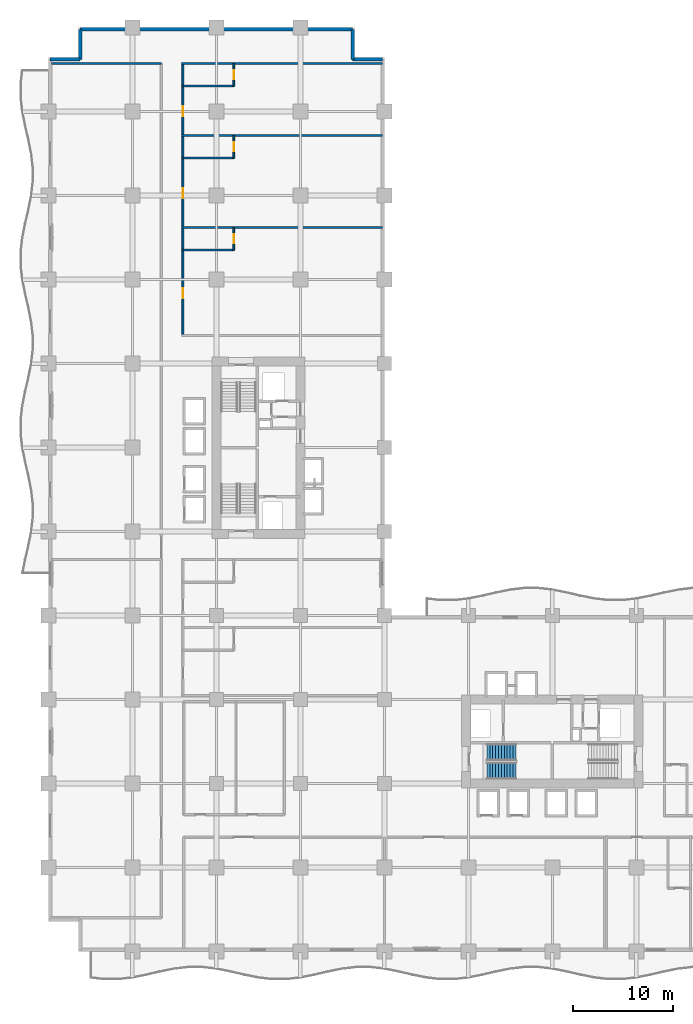
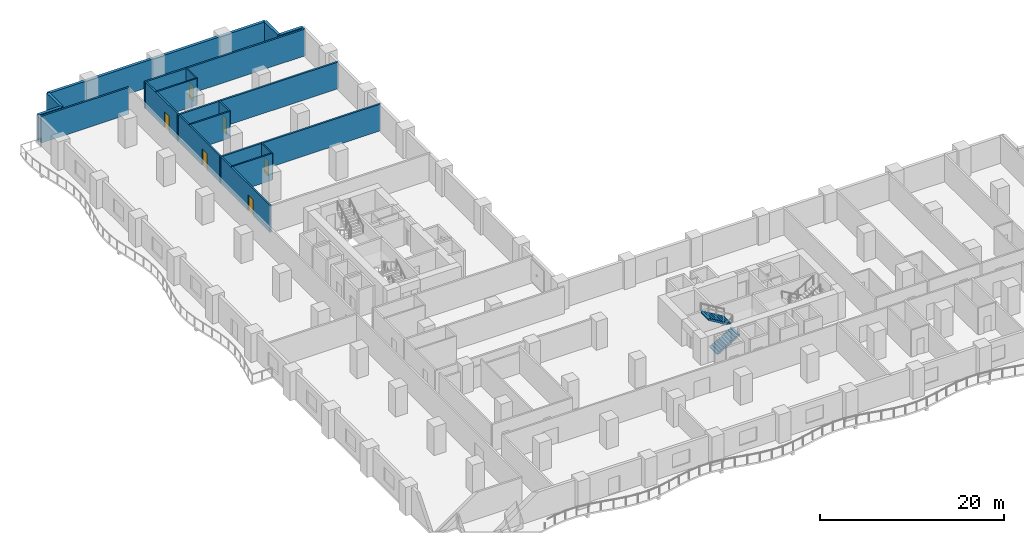
# One storey, part 11 of 18: 16 walls, 6 doors, 2 stair flights, 6 openings, 1 element without a shape of its own.
"""IFC4 building model written with IfcOpenShell, lengths in metres."""

from ifc_helpers import new_model, si_unit, direction, frame, frame_2d, origin, place, context, subcontext, project, spatial, polyline, rectangle, outline, extrude, material, layer, layer_set, type_object, element, fill, aggregate, save


model = new_model("IFC4")

# Units and contexts
model_context = context("Model", 3, precision=1e-05, world=origin(), true_north=direction((0.0, 1.0)))
body_context = subcontext(model_context, "Body", "Model", "MODEL_VIEW")
ifc_project = project(units=[si_unit("LENGTHUNIT", "METRE"), si_unit("AREAUNIT", "SQUARE_METRE"), si_unit("VOLUMEUNIT", "CUBIC_METRE"), si_unit("PLANEANGLEUNIT", "RADIAN"), si_unit("MASSUNIT", "GRAM", prefix="KILO")], contexts=[model_context])

# Site, building, storey
site_placement = place(None, origin())
site = spatial("IfcSite", under=ifc_project, at=site_placement, CompositionType="ELEMENT")
building_placement = place(site_placement, origin())
building = spatial("IfcBuilding", under=site, at=building_placement, Name="Koriwani Terraces Tower", CompositionType="ELEMENT")
storey_placement = place(building_placement, frame((0.0, 0.0, 81.39990234375)))
storey = spatial("IfcBuildingStorey", under=building, at=storey_placement, Name="L19", CompositionType="ELEMENT", Elevation=81.39990234375)

# Wall, openings, doors
ifc_material_1 = material(Name="Autoclaved Cellular Concrete Blockwork", Category="masonry")
ifc_layer_1 = layer(ifc_material_1, 0.199951171875, Name="Autoclaved Cellular Concrete Blockwork")
ifc_layer_set_1 = layer_set([ifc_layer_1], Name="Autoclaved Cellular Concrete Blockwork")
wall_type_1 = type_object("IfcWallType", Name="WALL_CORRIDOR_200", PredefinedType="PARTITIONING", material=ifc_layer_set_1)
wall_1_placement = place(storey_placement, frame((13.449951171875, 61.60009765625, 0.0), z_axis=(0.0, 0.0, 1.0), x_axis=(0.0, 1.0, 0.0)))
wall_1 = element("IfcWall", 1, at=wall_1_placement, inside=storey, type_object=wall_type_1, Name="L19 Interior Wall WCOR-L19-NE-0", PredefinedType="PARTITIONING", context=body_context, shape_type="SweptSolid", body=[
    extrude(rectangle(XDim=27.199951171875, YDim=0.199951171875, at=frame_2d((13.60009765625, 0.0))), origin(), (0.0, 0.0, 1.0), 3.550048828125),
])
opening_1_placement = place(wall_1_placement, frame((3.735107421875, 0.0, 0.0)))
opening_1 = element("IfcOpeningElement", 2, at=opening_1_placement, cuts=wall_1, Name="Opening D-05", PredefinedType="OPENING", context=body_context, shape_type="SweptSolid", body=[
    extrude(rectangle(XDim=1.0, YDim=2.14990234375, at=frame_2d((0.5, 1.074951171875))), frame((0.0, 0.10986328125, 0.0), z_axis=(0.0, -1.0, 0.0), x_axis=(1.0, 0.0, 0.0)), (0.0, 0.0, 1.0), 0.219970703125),
])
opening_2_placement = place(wall_1_placement, frame((13.735107421875, 0.0, 0.0)))
opening_2 = element("IfcOpeningElement", 3, at=opening_2_placement, cuts=wall_1, Name="Opening D-05", PredefinedType="OPENING", context=body_context, shape_type="SweptSolid", body=[
    extrude(rectangle(XDim=1.0, YDim=2.14990234375, at=frame_2d((0.5, 1.074951171875))), frame((0.0, 0.10986328125, 0.0), z_axis=(0.0, -1.0, 0.0), x_axis=(1.0, 0.0, 0.0)), (0.0, 0.0, 1.0), 0.219970703125),
])
opening_3_placement = place(wall_1_placement, frame((21.93505859375, 0.0, 0.0)))
opening_3 = element("IfcOpeningElement", 4, at=opening_3_placement, cuts=wall_1, Name="Opening D-05", PredefinedType="OPENING", context=body_context, shape_type="SweptSolid", body=[
    extrude(rectangle(XDim=1.0, YDim=2.14990234375, at=frame_2d((0.5, 1.074951171875))), frame((0.0, 0.10986328125, 0.0), z_axis=(0.0, -1.0, 0.0), x_axis=(1.0, 0.0, 0.0)), (0.0, 0.0, 1.0), 0.219970703125),
])
ifc_material_2 = material(Name="Architectural Oak Fire Door", Category="wood")
door_type_1 = type_object("IfcDoorType", Name="DOOR_SUITE_ENTRY_1000X2150", OperationType="NOTDEFINED", PredefinedType="DOOR", material=ifc_material_2)
door_1_placement = place(opening_1_placement, origin())
door_1 = element("IfcDoor", 5, at=door_1_placement, inside=storey, type_object=door_type_1, Name="Luxury Hotel Suite 19NE1 Entrance Door", OperationType="SINGLE_SWING_LEFT", OverallHeight=2.14990234375, OverallWidth=1.0, PredefinedType="DOOR", context=body_context, shape_type="SweptSolid", body=[
    extrude(rectangle(XDim=1.0, YDim=2.14990234375, at=frame_2d((0.5, 1.074951171875))), frame((0.0, 0.02490234375, 0.0), z_axis=(0.0, -1.0, 0.0), x_axis=(1.0, 0.0, 0.0)), (0.0, 0.0, 1.0), 0.050048828125),
])
fill(opening_1, door_1)
door_2_placement = place(opening_2_placement, origin())
door_2 = element("IfcDoor", 6, at=door_2_placement, inside=storey, type_object=door_type_1, Name="Luxury Hotel Suite 19NE2 Entrance Door", OperationType="SINGLE_SWING_LEFT", OverallHeight=2.14990234375, OverallWidth=1.0, PredefinedType="DOOR", context=body_context, shape_type="SweptSolid", body=[
    extrude(rectangle(XDim=1.0, YDim=2.14990234375, at=frame_2d((0.5, 1.074951171875))), frame((0.0, 0.02490234375, 0.0), z_axis=(0.0, -1.0, 0.0), x_axis=(1.0, 0.0, 0.0)), (0.0, 0.0, 1.0), 0.050048828125),
])
fill(opening_2, door_2)
door_3_placement = place(opening_3_placement, origin())
door_3 = element("IfcDoor", 7, at=door_3_placement, inside=storey, type_object=door_type_1, Name="Luxury Hotel Suite 19NE3 Entrance Door", OperationType="SINGLE_SWING_LEFT", OverallHeight=2.14990234375, OverallWidth=1.0, PredefinedType="DOOR", context=body_context, shape_type="SweptSolid", body=[
    extrude(rectangle(XDim=1.0, YDim=2.14990234375, at=frame_2d((0.5, 1.074951171875))), frame((0.0, 0.02490234375, 0.0), z_axis=(0.0, -1.0, 0.0), x_axis=(1.0, 0.0, 0.0)), (0.0, 0.0, 1.0), 0.050048828125),
])
fill(opening_3, door_3)

# Walls
ifc_layer_2 = layer(ifc_material_1, 0.219970703125, Name="Autoclaved Cellular Concrete Blockwork")
ifc_layer_set_2 = layer_set([ifc_layer_2], Name="Autoclaved Cellular Concrete Blockwork")
wall_type_2 = type_object("IfcWallType", Name="WALL_DEMISING_220", PredefinedType="PARTITIONING", material=ifc_layer_set_2)
wall_2_placement = place(storey_placement, frame((0.300048828125, 88.800048828125, 0.0), z_axis=(0.0, 0.0, 1.0), x_axis=(1.0, 0.0, 0.0)))
element("IfcWall", 8, at=wall_2_placement, inside=storey, type_object=wall_type_2, Name="L19 Interior Wall WZ1NWCLN-L19", PredefinedType="PARTITIONING", context=body_context, shape_type="SweptSolid", body=[
    extrude(rectangle(XDim=11.0, YDim=0.219970703125, at=frame_2d((5.5, 0.0))), origin(), (0.0, 0.0, 1.0), 3.550048828125),
])
for number, where, z_axis, x_axis, name in (
    (9, (13.300048828125, 72.39990234375, 0.0), (0.0, 0.0, 1.0), (1.0, 0.0, 0.0), "L19 Interior Wall WDEM-L19-NE-1"),
    (10, (13.300048828125, 81.60009765625, 0.0), (0.0, 0.0, 1.0), (1.0, 0.0, 0.0), "L19 Interior Wall WDEM-L19-NE-2"),
    (11, (13.300048828125, 88.800048828125, 0.0), (0.0, 0.0, 1.0), (1.0, 0.0, 0.0), "L19 Interior Wall WDEME-L19-NE"),
):
    element("IfcWall", number, at=place(storey_placement, frame(where, z_axis=z_axis, x_axis=x_axis)), inside=storey, type_object=wall_type_2, Name=name, PredefinedType="PARTITIONING", context=body_context, shape_type="SweptSolid", body=[
        extrude(rectangle(XDim=20.1298828125, YDim=0.219970703125, at=frame_2d((10.06494140625, 0.0))), origin(), (0.0, 0.0, 1.0), 3.550048828125),
    ])
ifc_material_3 = material(Name="Concrete C50/60", Category="concrete")
ifc_layer_3 = layer(ifc_material_3, 0.35009765625, Name="Concrete C50/60")
ifc_layer_set_3 = layer_set([ifc_layer_3], Name="Concrete C50/60")
wall_type_3 = type_object("IfcWallType", Name="WALL_EXT_BRUTALIST_350", PredefinedType="STANDARD", material=ifc_layer_set_3)
for number, where, z_axis, x_axis, name in (
    (12, (0.175048828125, 89.22509765625, 0.0), (0.0, 0.0, 1.0), (1.0, 0.0, 0.0), "L19 Fair-Faced Brutalist Exterior Wall (N3)"),
    (13, (3.175048828125, 89.22509765625, 0.0), (0.0, 0.0, 1.0), (0.0, 1.0, 0.0), "L19 Fair-Faced Brutalist Exterior Wall (N4)"),
):
    element("IfcWall", number, at=place(storey_placement, frame(where, z_axis=z_axis, x_axis=x_axis)), inside=storey, type_object=wall_type_3, Name=name, PredefinedType="STANDARD", context=body_context, shape_type="SweptSolid", body=[
        extrude(rectangle(XDim=3.0, YDim=0.35009765625, at=frame_2d((1.5, 0.0))), origin(), (0.0, 0.0, 1.0), 3.550048828125),
    ])
wall_3_placement = place(storey_placement, frame((3.175048828125, 92.22509765625, 0.0), z_axis=(0.0, 0.0, 1.0), x_axis=(1.0, 0.0, 0.0)))
element("IfcWall", 14, at=wall_3_placement, inside=storey, type_object=wall_type_3, Name="L19 Fair-Faced Brutalist Exterior Wall (N_TIP)", PredefinedType="STANDARD", context=body_context, shape_type="SweptSolid", body=[
    extrude(rectangle(XDim=27.25, YDim=0.35009765625, at=frame_2d((13.625, 0.0))), origin(), (0.0, 0.0, 1.0), 3.550048828125),
])
for number, where, z_axis, x_axis, name in (
    (15, (30.425048828125, 92.22509765625, 0.0), (0.0, 0.0, 1.0), (0.0, -1.0, 0.0), "L19 Fair-Faced Brutalist Exterior Wall (N6)"),
    (16, (30.425048828125, 89.22509765625, 0.0), (0.0, 0.0, 1.0), (1.0, 0.0, 0.0), "L19 Fair-Faced Brutalist Exterior Wall (N7)"),
):
    element("IfcWall", number, at=place(storey_placement, frame(where, z_axis=z_axis, x_axis=x_axis)), inside=storey, type_object=wall_type_3, Name=name, PredefinedType="STANDARD", context=body_context, shape_type="SweptSolid", body=[
        extrude(rectangle(XDim=3.0, YDim=0.35009765625, at=frame_2d((1.5, 0.0))), origin(), (0.0, 0.0, 1.0), 3.550048828125),
    ])

# Wall, opening, door
ifc_material_4 = material(Name="Fire-Rated Acoustic Gypsum Partition", Category="masonry")
ifc_layer_4 = layer(ifc_material_4, 0.179931640625, Name="Fire-Rated Acoustic Gypsum Partition")
ifc_layer_set_4 = layer_set([ifc_layer_4], Name="Fire-Rated Acoustic Gypsum Partition")
wall_type_4 = type_object("IfcWallType", Name="WALL_PLUMBING_180", PredefinedType="PLUMBINGWALL", material=ifc_layer_set_4)
wall_4_placement = place(storey_placement, frame((18.550048828125, 70.14990234375, 0.0), z_axis=(0.0, 0.0, 1.0), x_axis=(0.0, 1.0, 0.0)))
wall_4 = element("IfcWall", 17, at=wall_4_placement, inside=storey, type_object=wall_type_4, Name="L19 Interior Wall WBTH1-L19-NE-0", PredefinedType="PLUMBINGWALL", context=body_context, shape_type="SweptSolid", body=[
    extrude(rectangle(XDim=2.25, YDim=0.179931640625, at=frame_2d((1.125, 0.0))), origin(), (0.0, 0.0, 1.0), 3.550048828125),
])
opening_4_placement = place(wall_4_placement, frame((0.675048828125, 0.0, 0.0)))
opening_4 = element("IfcOpeningElement", 18, at=opening_4_placement, cuts=wall_4, Name="Opening D-07", PredefinedType="OPENING", context=body_context, shape_type="SweptSolid", body=[
    extrude(rectangle(XDim=0.89990234375, YDim=2.10009765625, at=frame_2d((0.449951171875, 1.050048828125))), frame((0.0, 0.10009765625, 0.0), z_axis=(0.0, -1.0, 0.0), x_axis=(1.0, 0.0, 0.0)), (0.0, 0.0, 1.0), 0.199951171875),
])
door_type_2 = type_object("IfcDoorType", Name="DOOR_BATH_INT_900X2100", OperationType="NOTDEFINED", PredefinedType="DOOR", material=ifc_material_2)
door_4_placement = place(opening_4_placement, origin())
door_4 = element("IfcDoor", 19, at=door_4_placement, inside=storey, type_object=door_type_2, Name="En-Suite Bathroom 19NE1 Door", OperationType="SINGLE_SWING_RIGHT", OverallHeight=2.10009765625, OverallWidth=0.89990234375, PredefinedType="DOOR", context=body_context, shape_type="SweptSolid", body=[
    extrude(rectangle(XDim=0.89990234375, YDim=2.10009765625, at=frame_2d((0.449951171875, 1.050048828125))), frame((0.0, 0.02490234375, 0.0), z_axis=(0.0, -1.0, 0.0), x_axis=(1.0, 0.0, 0.0)), (0.0, 0.0, 1.0), 0.050048828125),
])
fill(opening_4, door_4)

# Wall
wall_5_placement = place(storey_placement, frame((13.449951171875, 70.14990234375, 0.0), z_axis=(0.0, 0.0, 1.0), x_axis=(1.0, 0.0, 0.0)))
element("IfcWall", 20, at=wall_5_placement, inside=storey, type_object=wall_type_4, Name="L19 Interior Wall WBTH2-L19-NE-0", PredefinedType="PLUMBINGWALL", context=body_context, shape_type="SweptSolid", body=[
    extrude(rectangle(XDim=5.10009765625, YDim=0.179931640625, at=frame_2d((2.550048828125, 0.0))), origin(), (0.0, 0.0, 1.0), 3.550048828125),
])

# Wall, opening, door
wall_6_placement = place(storey_placement, frame((18.550048828125, 79.35009765625, 0.0), z_axis=(0.0, 0.0, 1.0), x_axis=(0.0, 1.0, 0.0)))
wall_6 = element("IfcWall", 21, at=wall_6_placement, inside=storey, type_object=wall_type_4, Name="L19 Interior Wall WBTH1-L19-NE-1", PredefinedType="PLUMBINGWALL", context=body_context, shape_type="SweptSolid", body=[
    extrude(rectangle(XDim=2.25, YDim=0.179931640625, at=frame_2d((1.125, 0.0))), origin(), (0.0, 0.0, 1.0), 3.550048828125),
])
opening_5_placement = place(wall_6_placement, frame((0.675048828125, 0.0, 0.0)))
opening_5 = element("IfcOpeningElement", 22, at=opening_5_placement, cuts=wall_6, Name="Opening D-07", PredefinedType="OPENING", context=body_context, shape_type="SweptSolid", body=[
    extrude(rectangle(XDim=0.89990234375, YDim=2.10009765625, at=frame_2d((0.449951171875, 1.050048828125))), frame((0.0, 0.10009765625, 0.0), z_axis=(0.0, -1.0, 0.0), x_axis=(1.0, 0.0, 0.0)), (0.0, 0.0, 1.0), 0.199951171875),
])
door_5_placement = place(opening_5_placement, origin())
door_5 = element("IfcDoor", 23, at=door_5_placement, inside=storey, type_object=door_type_2, Name="En-Suite Bathroom 19NE2 Door", OperationType="SINGLE_SWING_RIGHT", OverallHeight=2.10009765625, OverallWidth=0.89990234375, PredefinedType="DOOR", context=body_context, shape_type="SweptSolid", body=[
    extrude(rectangle(XDim=0.89990234375, YDim=2.10009765625, at=frame_2d((0.449951171875, 1.050048828125))), frame((0.0, 0.02490234375, 0.0), z_axis=(0.0, -1.0, 0.0), x_axis=(1.0, 0.0, 0.0)), (0.0, 0.0, 1.0), 0.050048828125),
])
fill(opening_5, door_5)

# Wall
wall_7_placement = place(storey_placement, frame((13.449951171875, 79.35009765625, 0.0), z_axis=(0.0, 0.0, 1.0), x_axis=(1.0, 0.0, 0.0)))
element("IfcWall", 24, at=wall_7_placement, inside=storey, type_object=wall_type_4, Name="L19 Interior Wall WBTH2-L19-NE-1", PredefinedType="PLUMBINGWALL", context=body_context, shape_type="SweptSolid", body=[
    extrude(rectangle(XDim=5.10009765625, YDim=0.179931640625, at=frame_2d((2.550048828125, 0.0))), origin(), (0.0, 0.0, 1.0), 3.550048828125),
])

# Wall, opening, door
wall_8_placement = place(storey_placement, frame((18.550048828125, 86.550048828125, 0.0), z_axis=(0.0, 0.0, 1.0), x_axis=(0.0, 1.0, 0.0)))
wall_8 = element("IfcWall", 25, at=wall_8_placement, inside=storey, type_object=wall_type_4, Name="L19 Interior Wall WBTH1-L19-NE-2", PredefinedType="PLUMBINGWALL", context=body_context, shape_type="SweptSolid", body=[
    extrude(rectangle(XDim=2.25, YDim=0.179931640625, at=frame_2d((1.125, 0.0))), origin(), (0.0, 0.0, 1.0), 3.550048828125),
])
opening_6_placement = place(wall_8_placement, frame((0.675048828125, 0.0, 0.0)))
opening_6 = element("IfcOpeningElement", 26, at=opening_6_placement, cuts=wall_8, Name="Opening D-07", PredefinedType="OPENING", context=body_context, shape_type="SweptSolid", body=[
    extrude(rectangle(XDim=0.89990234375, YDim=2.10009765625, at=frame_2d((0.449951171875, 1.050048828125))), frame((0.0, 0.10009765625, 0.0), z_axis=(0.0, -1.0, 0.0), x_axis=(1.0, 0.0, 0.0)), (0.0, 0.0, 1.0), 0.199951171875),
])
door_6_placement = place(opening_6_placement, origin())
door_6 = element("IfcDoor", 27, at=door_6_placement, inside=storey, type_object=door_type_2, Name="En-Suite Bathroom 19NE3 Door", OperationType="SINGLE_SWING_RIGHT", OverallHeight=2.10009765625, OverallWidth=0.89990234375, PredefinedType="DOOR", context=body_context, shape_type="SweptSolid", body=[
    extrude(rectangle(XDim=0.89990234375, YDim=2.10009765625, at=frame_2d((0.449951171875, 1.050048828125))), frame((0.0, 0.02490234375, 0.0), z_axis=(0.0, -1.0, 0.0), x_axis=(1.0, 0.0, 0.0)), (0.0, 0.0, 1.0), 0.050048828125),
])
fill(opening_6, door_6)

# Wall
wall_9_placement = place(storey_placement, frame((13.449951171875, 86.550048828125, 0.0), z_axis=(0.0, 0.0, 1.0), x_axis=(1.0, 0.0, 0.0)))
element("IfcWall", 28, at=wall_9_placement, inside=storey, type_object=wall_type_4, Name="L19 Interior Wall WBTH2-L19-NE-2", PredefinedType="PLUMBINGWALL", context=body_context, shape_type="SweptSolid", body=[
    extrude(rectangle(XDim=5.10009765625, YDim=0.179931640625, at=frame_2d((2.550048828125, 0.0))), origin(), (0.0, 0.0, 1.0), 3.550048828125),
])

# Stair, stair flights
ifc_material_5 = material(Name="Concrete C40/50", Category="concrete")
stair_type = type_object("IfcStairType", Name="STAIR_CORE_DOGLEG_1650", PredefinedType="TWO_STRAIGHT_RUN_STAIR", material=ifc_material_5)
stair_placement = place(storey_placement, origin())
stair = element("IfcStair", 29, at=stair_placement, inside=storey, type_object=stair_type, Name="L19 East Core Exit Stair 1", PredefinedType="HALF_TURN_STAIR")
stair_flight_type = type_object("IfcStairFlightType", Name="STAIR_FLIGHT_RC_1650", PredefinedType="STRAIGHT", material=ifc_material_5)
stair_flight_1_placement = place(storey_placement, frame((43.85009765625, 18.074951171875, 0.0), z_axis=(0.0, 0.0, 1.0), x_axis=(1.0, 0.0, 0.0)))
stair_flight_1 = element("IfcStairFlight", 30, at=stair_flight_1_placement, type_object=stair_flight_type, Name="ST-E1 flight 1", NumberOfRisers=11, NumberOfTreads=10, PredefinedType="STRAIGHT", RiserHeight=0.172727273, TreadLength=0.29, context=body_context, shape_type="SweptSolid", body=[
    extrude(outline(polyline([(0.0, 0.0), (0.0, 0.172607421875), (0.2900390625, 0.172607421875), (0.2900390625, 0.345458984375), (0.580078125, 0.345458984375), (0.580078125, 0.51806640625), (0.8701171875, 0.51806640625), (0.8701171875, 0.69091796875), (1.159912109375, 0.69091796875), (1.159912109375, 0.863525390625), (1.449951171875, 0.863525390625), (1.449951171875, 1.036376953125), (1.739990234375, 1.036376953125), (1.739990234375, 1.208984375), (2.030029296875, 1.208984375), (2.030029296875, 1.3818359375), (2.320068359375, 1.3818359375), (2.320068359375, 1.554443359375), (2.610107421875, 1.554443359375), (2.610107421875, 1.727294921875), (2.89990234375, 1.727294921875), (2.89990234375, 1.89990234375), (2.89990234375, 1.517822265625), (0.3515625, 0.0), (0.0, 0.0)])), frame((0.0, 0.824951171875, 0.0), z_axis=(0.0, -1.0, 0.0), x_axis=(1.0, 0.0, 0.0)), (0.0, 0.0, 1.0), 1.64990234375),
])
stair_flight_2_placement = place(storey_placement, frame((46.75, 19.925048828125, 1.900146484375), z_axis=(0.0, 0.0, 1.0), x_axis=(-1.0, 0.0, 0.0)))
stair_flight_2 = element("IfcStairFlight", 31, at=stair_flight_2_placement, type_object=stair_flight_type, Name="ST-E1 flight 2", NumberOfRisers=11, NumberOfTreads=10, PredefinedType="STRAIGHT", RiserHeight=0.172727273, TreadLength=0.29, context=body_context, shape_type="SweptSolid", body=[
    extrude(outline(polyline([(0.0, 0.0), (0.0, 0.172607421875), (0.2900390625, 0.172607421875), (0.2900390625, 0.345458984375), (0.580078125, 0.345458984375), (0.580078125, 0.51806640625), (0.8701171875, 0.51806640625), (0.8701171875, 0.69091796875), (1.159912109375, 0.69091796875), (1.159912109375, 0.863525390625), (1.449951171875, 0.863525390625), (1.449951171875, 1.036376953125), (1.739990234375, 1.036376953125), (1.739990234375, 1.208984375), (2.030029296875, 1.208984375), (2.030029296875, 1.3818359375), (2.320068359375, 1.3818359375), (2.320068359375, 1.554443359375), (2.610107421875, 1.554443359375), (2.610107421875, 1.727294921875), (2.89990234375, 1.727294921875), (2.89990234375, 1.89990234375), (2.89990234375, 1.517822265625), (0.3515625, 0.0), (0.0, 0.0)])), frame((0.0, 0.824951171875, 0.0), z_axis=(0.0, -1.0, 0.0), x_axis=(1.0, 0.0, 0.0)), (0.0, 0.0, 1.0), 1.64990234375),
])
aggregate(stair, [stair_flight_1, stair_flight_2])

save(model, "model.ifc")
